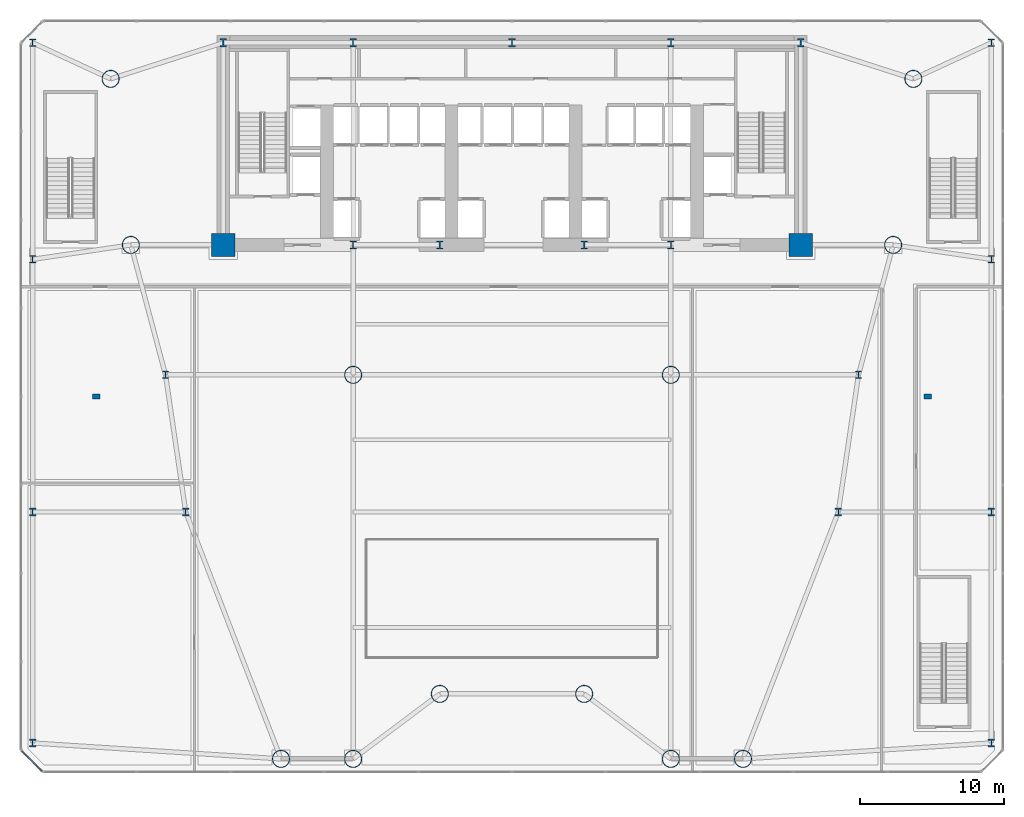
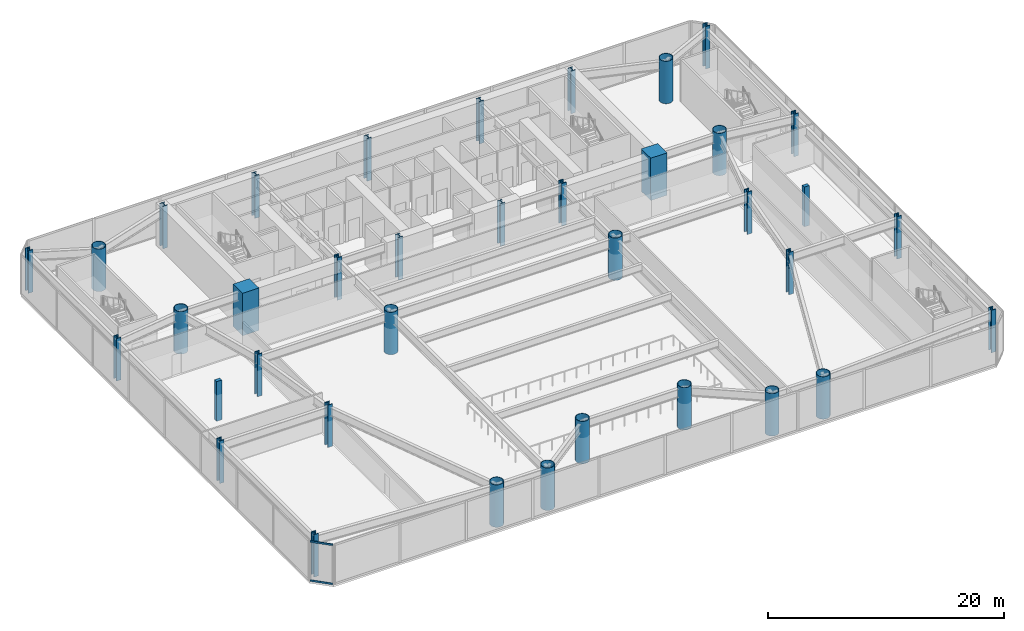
# One storey, part 1 of 24: 37 columns, 2 members, 1 element without a shape of its own.
"""IFC4 building model written with IfcOpenShell, lengths in metres."""

import ifcopenshell
import ifcopenshell.guid

model = None  # the IFC model being written
_history = None  # IfcOwnerHistory: only IFC2X3 demands one
_inside = {}  # id of a spatial element -> (the spatial element, [elements in it])
_under = {}  # id of a project, library or spatial element -> (it, [spatial elements below it])
_declared = {}  # id of a project -> (the project, [libraries it declares])
_typed = {}  # id of a type object -> (the type object, [elements of that type])
_made_of = {}  # id of a material, layer set ... -> (it, [elements and type objects made of it])


def new_model(schema):
    """Start an empty IFC model of exactly this schema.

    Asked for "IFC4X3", IfcOpenShell would pick the latest addendum, in which some entities
    have other attributes; the version numbers below select the first issue.
    IFC2X3 requires an IfcOwnerHistory on every rooted entity: one is made here for all.
    """
    global model, _history
    if schema == "IFC4X3":
        model = ifcopenshell.file(schema_version=(4, 3, 0, 0))
    else:
        model = ifcopenshell.file(schema=schema)
    _inside.clear()
    _under.clear()
    _declared.clear()
    _typed.clear()
    _made_of.clear()
    _history = None
    if model.schema == "IFC2X3":
        org = make("IfcOrganization", Name="unknown")
        user = make(
            "IfcPersonAndOrganization",
            ThePerson=make("IfcPerson", FamilyName="unknown"),
            TheOrganization=org,
        )
        app = make(
            "IfcApplication",
            ApplicationDeveloper=org,
            Version="unknown",
            ApplicationFullName="unknown",
            ApplicationIdentifier="unknown",
        )
        _history = make(
            "IfcOwnerHistory",
            OwningUser=user,
            OwningApplication=app,
            ChangeAction="ADDED",
            CreationDate=0,
        )
    return model


def make(cls, **values):
    """One entity of the class cls with the attributes given. An attribute that is None is left unset."""
    return model.create_entity(
        cls, **{name: value for name, value in values.items() if value is not None}
    )


def rooted(cls, **values):
    """An entity with a GlobalId (a new one), such as an element, a storey or a relation."""
    return make(cls, GlobalId=ifcopenshell.guid.new(), OwnerHistory=_history, **values)


def si_unit(unit_type, name, prefix=None):
    """IfcSIUnit, for example si_unit("LENGTHUNIT", "METRE", prefix="MILLI")."""
    return make("IfcSIUnit", UnitType=unit_type, Prefix=prefix, Name=name)


def assignment(units):
    """IfcUnitAssignment: the units of a project."""
    return None if units is None else make("IfcUnitAssignment", Units=units)


def point(xyz):
    """IfcCartesianPoint."""
    return None if xyz is None else make("IfcCartesianPoint", Coordinates=xyz)


def direction(xyz):
    """IfcDirection."""
    return None if xyz is None else make("IfcDirection", DirectionRatios=xyz)


def frame(location, z_axis=None, x_axis=None):
    """IfcAxis2Placement3D, a coordinate frame: its origin and axes. An axis left out is left unset."""
    return make(
        "IfcAxis2Placement3D",
        Location=point(location),
        Axis=direction(z_axis),
        RefDirection=direction(x_axis),
    )


def frame_2d(location, x_axis=None):
    """IfcAxis2Placement2D, a coordinate frame in the plane: its origin and x axis."""
    return make(
        "IfcAxis2Placement2D", Location=point(location), RefDirection=direction(x_axis)
    )


def origin():
    """The frame at (0, 0, 0) with its axes left unset."""
    return frame((0.0, 0.0, 0.0))


def origin_2d():
    """The frame at (0, 0) in the plane with its x axis left unset."""
    return frame_2d((0.0, 0.0))


def place(relative_to, where):
    """IfcLocalPlacement: puts the frame where relative to a parent placement (None: the world)."""
    return make(
        "IfcLocalPlacement", PlacementRelTo=relative_to, RelativePlacement=where
    )


def context(
    kind, dimensions, precision=None, world=None, true_north=None, identifier=None
):
    """IfcGeometricRepresentationContext, for example the 3D "Model" context."""
    return make(
        "IfcGeometricRepresentationContext",
        ContextIdentifier=identifier,
        ContextType=kind,
        CoordinateSpaceDimension=dimensions,
        Precision=precision,
        WorldCoordinateSystem=world,
        TrueNorth=true_north,
    )


def subcontext(parent, identifier, kind, view, scale=None):
    """IfcGeometricRepresentationSubContext, for example "Body" below "Model"."""
    return make(
        "IfcGeometricRepresentationSubContext",
        ContextIdentifier=identifier,
        ContextType=kind,
        ParentContext=parent,
        TargetScale=scale,
        TargetView=view,
    )


def project(units=None, contexts=None):
    """IfcProject with its units and contexts."""
    return rooted(
        "IfcProject",
        Name="project",
        RepresentationContexts=contexts,
        UnitsInContext=assignment(units),
    )


def spatial(cls, under=None, at=None, **own):
    """A site, building, storey or space (cls), placed at a placement, below another one or the project."""
    s = rooted(cls, ObjectPlacement=at, **own)
    if under is not None:
        _under.setdefault(under.id(), (under, []))[1].append(s)
    return s


def profile(cls, at=None, kind="AREA", **sizes):
    """A parametric profile (cls). Its sizes go by their IFC names, for example OverallWidth=200.0."""
    return make(cls, ProfileType=kind, Position=at, **sizes)


def rectangle(**sizes):
    """IfcRectangleProfileDef."""
    return profile("IfcRectangleProfileDef", **sizes)


def hollow_circle(**sizes):
    """IfcCircleHollowProfileDef."""
    return profile("IfcCircleHollowProfileDef", **sizes)


def i_section(**sizes):
    """IfcIShapeProfileDef."""
    return profile("IfcIShapeProfileDef", **sizes)


def extrude(swept, where, along, depth):
    """IfcExtrudedAreaSolid: the profile swept, set in the frame where, extruded along a direction by depth."""
    return make(
        "IfcExtrudedAreaSolid",
        SweptArea=swept,
        Position=where,
        ExtrudedDirection=direction(along),
        Depth=depth,
    )


def shape(context_of_items, identifier, shape_type, items):
    """IfcShapeRepresentation: the items that make up one representation, for example the "Body"."""
    return make(
        "IfcShapeRepresentation",
        ContextOfItems=context_of_items,
        RepresentationIdentifier=identifier,
        RepresentationType=shape_type,
        Items=items,
    )


def source(mapping_origin, context_of_items, identifier, shape_type, items):
    """IfcRepresentationMap: a shape defined once, which mapped items show again and again."""
    return make(
        "IfcRepresentationMap",
        MappingOrigin=mapping_origin,
        MappedRepresentation=shape(context_of_items, identifier, shape_type, items),
    )


def transform(
    local_origin,
    x_axis=None,
    y_axis=None,
    z_axis=None,
    scale=None,
    scale2=None,
    scale3=None,
    uniform=True,
):
    """IfcCartesianTransformationOperator3D, or its non-uniform kind. x_axis, y_axis, z_axis: its Axis1, 2, 3."""
    if uniform:
        return make(
            "IfcCartesianTransformationOperator3D",
            Axis1=direction(x_axis),
            Axis2=direction(y_axis),
            LocalOrigin=point(local_origin),
            Scale=scale,
            Axis3=direction(z_axis),
        )
    return make(
        "IfcCartesianTransformationOperator3DnonUniform",
        Axis1=direction(x_axis),
        Axis2=direction(y_axis),
        LocalOrigin=point(local_origin),
        Scale=scale,
        Axis3=direction(z_axis),
        Scale2=scale2,
        Scale3=scale3,
    )


def mapped(mapping_source, mapping_target):
    """IfcMappedItem: shows the shape of a source again, moved by a transform."""
    return make(
        "IfcMappedItem", MappingSource=mapping_source, MappingTarget=mapping_target
    )


def material(Name=None, Category=None):
    """IfcMaterial."""
    return make("IfcMaterial", Name=Name, Category=Category)


def layer(
    of_material, thickness, ventilated=None, Name=None, Category=None, Priority=None
):
    """IfcMaterialLayer: one layer of a wall or slab, of a material (None: an air gap)."""
    return make(
        "IfcMaterialLayer",
        Material=of_material,
        LayerThickness=thickness,
        IsVentilated=ventilated,
        Name=Name,
        Category=Category,
        Priority=Priority,
    )


def layer_set(layers, Name=None):
    """IfcMaterialLayerSet."""
    return make("IfcMaterialLayerSet", MaterialLayers=layers, LayerSetName=Name)


def material_profile(
    of_material, cross_section, Name=None, Category=None, Priority=None
):
    """IfcMaterialProfile: a cross section and its material."""
    return make(
        "IfcMaterialProfile",
        Name=Name,
        Material=of_material,
        Profile=cross_section,
        Priority=Priority,
        Category=Category,
    )


def profile_set(profiles, Name=None, composite=None):
    """IfcMaterialProfileSet."""
    return make(
        "IfcMaterialProfileSet",
        Name=Name,
        MaterialProfiles=profiles,
        CompositeProfile=composite,
    )


def made_of(thing, what):
    """Note that an element or type object is made of a material, layer set ...; save() writes the relation."""
    if what is not None:
        _made_of.setdefault(what.id(), (what, []))[1].append(thing)
    return thing


def type_object(cls, material=None, **own):
    """A type object (cls), such as IfcWallType, which elements share."""
    return made_of(rooted(cls, **own), material)


def element(
    cls,
    number,
    at=None,
    inside=None,
    cuts=None,
    type_object=None,
    material=None,
    context=None,
    identifier="Body",
    shape_type=None,
    held_by="IfcProductDefinitionShape",
    body=None,
    shapes=None,
    **own,
):
    """One element of the class cls, such as IfcWall. Its Tag is "e" and its number.

    at: its placement. inside: the storey or other place that contains it. cuts: it is an
    opening in that element (IfcRelVoidsElement). A single representation is given by context,
    identifier, shape_type and body (its items); several are given by shapes. held_by: the class
    of the entity that holds the representations. save() writes the other relations.
    """
    e = rooted(cls, Tag="e%d" % number, ObjectPlacement=at, **own)
    if body is not None:
        shapes = [shape(context, identifier, shape_type, body)]
    if shapes is not None:
        e.Representation = make(held_by, Representations=shapes)
    if inside is not None:
        _inside.setdefault(inside.id(), (inside, []))[1].append(e)
    if cuts is not None:
        rooted(
            "IfcRelVoidsElement", RelatingBuildingElement=cuts, RelatedOpeningElement=e
        )
    if type_object is not None:
        _typed.setdefault(type_object.id(), (type_object, []))[1].append(e)
    return made_of(e, material)


def aggregate(whole, parts):
    """IfcRelAggregates: a whole, such as a stair, and the parts it consists of."""
    return rooted("IfcRelAggregates", RelatingObject=whole, RelatedObjects=parts)


def save(model, path):
    """Write the relations noted so far, then the file.

    IfcRelAggregates (storeys below a building ...), IfcRelContainedInSpatialStructure (elements
    in a storey), IfcRelDefinesByType, IfcRelAssociatesMaterial and IfcRelDeclares: one each for
    every whole, place, type object, material and project.
    """
    for whole, parts in _under.values():
        aggregate(whole, parts)
    for where, things in _inside.values():
        rooted(
            "IfcRelContainedInSpatialStructure",
            RelatedElements=things,
            RelatingStructure=where,
        )
    for kind, things in _typed.values():
        rooted("IfcRelDefinesByType", RelatedObjects=things, RelatingType=kind)
    for what, things in _made_of.values():
        rooted("IfcRelAssociatesMaterial", RelatedObjects=things, RelatingMaterial=what)
    for by, libraries in _declared.values():
        rooted("IfcRelDeclares", RelatingContext=by, RelatedDefinitions=libraries)
    model.write(path)


model = new_model("IFC4")

# Units and contexts
model_context = context("Model", 3, precision=1e-05, world=origin(), true_north=direction((0.0, 1.0)))
body_context = subcontext(model_context, "Body", "Model", "MODEL_VIEW")
ifc_project = project(units=[si_unit("LENGTHUNIT", "METRE"), si_unit("AREAUNIT", "SQUARE_METRE"), si_unit("VOLUMEUNIT", "CUBIC_METRE"), si_unit("PLANEANGLEUNIT", "RADIAN"), si_unit("MASSUNIT", "GRAM", prefix="KILO")], contexts=[model_context])

# Site, building, storey
site_placement = place(None, origin())
site = spatial("IfcSite", under=ifc_project, at=site_placement, CompositionType="ELEMENT")
building_placement = place(site_placement, origin())
building = spatial("IfcBuilding", under=site, at=building_placement, Name="Vaeldorn Concourse Tower", CompositionType="ELEMENT")
storey_placement = place(building_placement, frame((0.0, 0.0, 5.60009765625)))
storey = spatial("IfcBuildingStorey", under=building, at=storey_placement, Name="L01", CompositionType="ELEMENT", Elevation=5.60009765625)

# Columns
ifc_material_1 = material(Name="Concrete C60/75", Category="concrete")
ifc_material_profile_1 = material_profile(ifc_material_1, rectangle(XDim=1.60009765625, YDim=1.60009765625, at=origin_2d()), Name="RC 1600x1600")
ifc_profile_set_1 = profile_set([ifc_material_profile_1], Name="Concrete C60/75")
column_type_1 = type_object("IfcColumnType", Name="COL-RC1600", PredefinedType="COLUMN", material=ifc_profile_set_1)
shared_shape_1 = source(origin(), body_context, "Body", "SweptSolid", [
    extrude(rectangle(XDim=1.60009765625, YDim=1.60009765625, at=origin_2d()), origin(), (0.0, 0.0, 1.0), 4.39990234375),
])
for number, where, z_axis, x_axis, name in (
    (1, (14.0, 36.5, 0.0), (0.0, 0.0, 1.0), (1.0, 0.0, 0.0), "Column C-FC1 L01"),
    (2, (54.0, 36.5, 0.0), (0.0, 0.0, 1.0), (1.0, 0.0, 0.0), "Column C-FC6 L01"),
):
    element("IfcColumn", number, at=place(storey_placement, frame(where, z_axis=z_axis, x_axis=x_axis)), inside=storey, type_object=column_type_1, Name=name, PredefinedType="COLUMN", context=body_context, shape_type="MappedRepresentation", body=[
        mapped(shared_shape_1, transform((0.0, 0.0, 0.0), scale=1.0)),
    ])
ifc_material_2 = material(Name="Steel S460", Category="steel")
ifc_material_profile_2 = material_profile(ifc_material_2, i_section(OverallWidth=0.4541015625, OverallDepth=0.569091796875, WebThickness=0.077880859375, FlangeThickness=0.080078125, FilletRadius=0.014892578125, at=origin_2d()), Name="HD 400x1086")
ifc_profile_set_2 = profile_set([ifc_material_profile_2], Name="Steel S460")
column_type_2 = type_object("IfcColumnType", Name="COL-HD1086", PredefinedType="COLUMN", material=ifc_profile_set_2)
shared_shape_2 = source(origin(), body_context, "Body", "SweptSolid", [
    extrude(i_section(OverallWidth=0.4541015625, OverallDepth=0.569091796875, WebThickness=0.077880859375, FlangeThickness=0.080078125, FilletRadius=0.014892578125, at=origin_2d()), origin(), (0.0, 0.0, 1.0), 4.39990234375),
])
for number, where, z_axis, x_axis, name in (
    (3, (23.0, 36.5, 0.0), (0.0, 0.0, 1.0), (1.0, 0.0, 0.0), "Column C-FC2 L01"),
    (4, (29.0, 36.5, 0.0), (0.0, 0.0, 1.0), (1.0, 0.0, 0.0), "Column C-FC3 L01"),
    (5, (39.0, 36.5, 0.0), (0.0, 0.0, 1.0), (1.0, 0.0, 0.0), "Column C-FC4 L01"),
    (6, (45.0, 36.5, 0.0), (0.0, 0.0, 1.0), (1.0, 0.0, 0.0), "Column C-FC5 L01"),
    (7, (14.0, 50.5, 0.0), (0.0, 0.0, 1.0), (1.0, 0.0, 0.0), "Column C-HC1 L01"),
    (8, (23.0, 50.5, 0.0), (0.0, 0.0, 1.0), (1.0, 0.0, 0.0), "Column C-HC2 L01"),
    (9, (34.0, 50.5, 0.0), (0.0, 0.0, 1.0), (1.0, 0.0, 0.0), "Column C-HC3 L01"),
    (10, (45.0, 50.5, 0.0), (0.0, 0.0, 1.0), (1.0, 0.0, 0.0), "Column C-HC4 L01"),
    (11, (54.0, 50.5, 0.0), (0.0, 0.0, 1.0), (1.0, 0.0, 0.0), "Column C-HC5 L01"),
):
    element("IfcColumn", number, at=place(storey_placement, frame(where, z_axis=z_axis, x_axis=x_axis)), inside=storey, type_object=column_type_2, Name=name, PredefinedType="COLUMN", context=body_context, shape_type="MappedRepresentation", body=[
        mapped(shared_shape_2, transform((0.0, 0.0, 0.0), scale=1.0)),
    ])
ifc_material_profile_3 = material_profile(ifc_material_2, hollow_circle(Radius=0.609619140625, WallThickness=0.050048828125, at=origin_2d()), Name="CHS 1219x50")
ifc_profile_set_3 = profile_set([ifc_material_profile_3], Name="Steel S460")
column_type_3 = type_object("IfcColumnType", Name="COL-CHS1219", PredefinedType="COLUMN", material=ifc_profile_set_3)
shared_shape_3 = source(origin(), body_context, "Body", "SweptSolid", [
    extrude(hollow_circle(Radius=0.609619140625, WallThickness=0.050048828125, at=origin_2d()), origin(), (0.0, 0.0, 1.0), 4.39990234375),
])
for number, where, z_axis, x_axis, name in (
    (12, (6.199951171875, 48.0, 0.0), (0.0, 0.0, 1.0), (1.0, 0.0, 0.0), "Column C-NW1 L01"),
    (13, (7.60009765625, 36.5, 0.0), (0.0, 0.0, 1.0), (1.0, 0.0, 0.0), "Column C-NW2 L01"),
    (14, (61.800048828125, 48.0, 0.0), (0.0, 0.0, 1.0), (1.0, 0.0, 0.0), "Column C-NE1 L01"),
    (15, (60.39990234375, 36.5, 0.0), (0.0, 0.0, 1.0), (1.0, 0.0, 0.0), "Column C-NE2 L01"),
    (16, (18.0, 0.89990234375, 0.0), (0.0, 0.0, 1.0), (1.0, 0.0, 0.0), "Column C-SM1 L01"),
    (17, (23.0, 0.89990234375, 0.0), (0.0, 0.0, 1.0), (1.0, 0.0, 0.0), "Column C-SM2 L01"),
    (18, (29.0, 5.39990234375, 0.0), (0.0, 0.0, 1.0), (1.0, 0.0, 0.0), "Column C-SM3 L01"),
    (19, (39.0, 5.39990234375, 0.0), (0.0, 0.0, 1.0), (1.0, 0.0, 0.0), "Column C-SM4 L01"),
    (20, (45.0, 0.89990234375, 0.0), (0.0, 0.0, 1.0), (1.0, 0.0, 0.0), "Column C-SM5 L01"),
    (21, (50.0, 0.89990234375, 0.0), (0.0, 0.0, 1.0), (1.0, 0.0, 0.0), "Column C-SM6 L01"),
    (22, (23.0, 27.5, 0.0), (0.0, 0.0, 1.0), (1.0, 0.0, 0.0), "Column C-TW1 L01"),
    (23, (45.0, 27.5, 0.0), (0.0, 0.0, 1.0), (1.0, 0.0, 0.0), "Column C-TW4 L01"),
):
    element("IfcColumn", number, at=place(storey_placement, frame(where, z_axis=z_axis, x_axis=x_axis)), inside=storey, type_object=column_type_3, Name=name, PredefinedType="COLUMN", context=body_context, shape_type="MappedRepresentation", body=[
        mapped(shared_shape_3, transform((0.0, 0.0, 0.0), scale=1.0)),
    ])
ifc_material_profile_4 = material_profile(ifc_material_2, i_section(OverallWidth=0.44189453125, OverallDepth=0.531005859375, WebThickness=0.06494140625, FlangeThickness=0.075927734375, FilletRadius=0.014892578125, at=origin_2d()), Name="HD 400x900")
ifc_profile_set_4 = profile_set([ifc_material_profile_4], Name="Steel S460")
column_type_4 = type_object("IfcColumnType", Name="COL-HD900F", PredefinedType="COLUMN", material=ifc_profile_set_4)
shared_shape_4 = source(origin(), body_context, "Body", "SweptSolid", [
    extrude(i_section(OverallWidth=0.44189453125, OverallDepth=0.531005859375, WebThickness=0.06494140625, FlangeThickness=0.075927734375, FilletRadius=0.014892578125, at=origin_2d()), origin(), (0.0, 0.0, 1.0), 4.39990234375),
])
for number, where, z_axis, x_axis, name in (
    (24, (0.800048828125, 2.0, 0.0), (0.0, 0.0, 1.0), (1.0, 0.0, 0.0), "Column C-PW1 L01"),
    (25, (0.800048828125, 18.0, 0.0), (0.0, 0.0, 1.0), (1.0, 0.0, 0.0), "Column C-PW2 L01"),
    (26, (0.800048828125, 35.5, 0.0), (0.0, 0.0, 1.0), (1.0, 0.0, 0.0), "Column C-PW3 L01"),
    (27, (0.800048828125, 50.5, 0.0), (0.0, 0.0, 1.0), (1.0, 0.0, 0.0), "Column C-PW4 L01"),
    (28, (67.199951171875, 2.0, 0.0), (0.0, 0.0, 1.0), (1.0, 0.0, 0.0), "Column C-PE1 L01"),
    (29, (67.199951171875, 18.0, 0.0), (0.0, 0.0, 1.0), (1.0, 0.0, 0.0), "Column C-PE2 L01"),
    (30, (67.199951171875, 35.5, 0.0), (0.0, 0.0, 1.0), (1.0, 0.0, 0.0), "Column C-PE3 L01"),
    (31, (67.199951171875, 50.5, 0.0), (0.0, 0.0, 1.0), (1.0, 0.0, 0.0), "Column C-PE4 L01"),
    (32, (10.0, 27.5, 0.0), (0.0, 0.0, 1.0), (1.0, 0.0, 0.0), "Column C-FLW1 L01"),
    (33, (11.39990234375, 18.0, 0.0), (0.0, 0.0, 1.0), (1.0, 0.0, 0.0), "Column C-FLW2 L01"),
    (34, (58.0, 27.5, 0.0), (0.0, 0.0, 1.0), (1.0, 0.0, 0.0), "Column C-FLE1 L01"),
    (35, (56.60009765625, 18.0, 0.0), (0.0, 0.0, 1.0), (1.0, 0.0, 0.0), "Column C-FLE2 L01"),
):
    element("IfcColumn", number, at=place(storey_placement, frame(where, z_axis=z_axis, x_axis=x_axis)), inside=storey, type_object=column_type_4, Name=name, PredefinedType="COLUMN", context=body_context, shape_type="MappedRepresentation", body=[
        mapped(shared_shape_4, transform((0.0, 0.0, 0.0), scale=1.0)),
    ])
ifc_material_3 = material(Name="Concrete C50/60", Category="concrete")
ifc_material_profile_5 = material_profile(ifc_material_3, rectangle(XDim=0.5, YDim=0.35009765625, at=origin_2d()), Name="RC 500x350")
ifc_profile_set_5 = profile_set([ifc_material_profile_5], Name="Concrete C50/60")
column_type_5 = type_object("IfcColumnType", Name="PIL-RC500x350", PredefinedType="PILASTER", material=ifc_profile_set_5)
shared_shape_5 = source(origin(), body_context, "Body", "SweptSolid", [
    extrude(rectangle(XDim=0.5, YDim=0.35009765625, at=origin_2d()), origin(), (0.0, 0.0, 1.0), 4.119873046875),
])
for number, where, z_axis, x_axis, name in (
    (36, (5.199951171875, 26.0, 0.0), (0.0, 0.0, 1.0), (1.0, 0.0, 0.0), "Concourse Structural Pilaster L01-W"),
    (37, (62.800048828125, 26.0, 0.0), (0.0, 0.0, 1.0), (1.0, 0.0, 0.0), "Concourse Structural Pilaster L01-E"),
):
    element("IfcColumn", number, at=place(storey_placement, frame(where, z_axis=z_axis, x_axis=x_axis)), inside=storey, type_object=column_type_5, Name=name, PredefinedType="PILASTER", context=body_context, shape_type="MappedRepresentation", body=[
        mapped(shared_shape_5, transform((0.0, 0.0, 0.0), scale=1.0)),
    ])

# Curtain wall, members
ifc_material_4 = material(Name="Anodised Bronze Aluminium", Category="aluminium")
ifc_layer = layer(ifc_material_4, 0.239990234375)
ifc_layer_set = layer_set([ifc_layer], Name="Anodised Bronze Aluminium")
curtain_wall_type = type_object("IfcCurtainWallType", Name="CW-SYS-04", PredefinedType="NOTDEFINED", material=ifc_layer_set)
curtain_wall_placement = place(storey_placement, origin())
curtain_wall = element("IfcCurtainWall", 38, at=curtain_wall_placement, inside=storey, type_object=curtain_wall_type, Name="Unitised Curtain Wall CW-L01-E08-1", PredefinedType="NOTDEFINED")
ifc_material_profile_6 = material_profile(ifc_material_4, rectangle(XDim=0.074951171875, YDim=0.179931640625, at=origin_2d()), Name="CWT 75x180")
ifc_profile_set_6 = profile_set([ifc_material_profile_6], Name="Anodised Bronze Aluminium")
member_type = type_object("IfcMemberType", Name="CWT-BRONZE-180", PredefinedType="USERDEFINED", material=ifc_profile_set_6)
shared_shape_6 = source(origin(), body_context, "Body", "SweptSolid", [
    extrude(rectangle(XDim=0.074951171875, YDim=0.179931640625, at=origin_2d()), origin(), (0.0, 0.0, 1.0), 1.971435546875),
])
member_1_placement = place(storey_placement, frame((0.052978515625, 1.447021484375, 0.037353515625), z_axis=(0.707106781187, -0.707106781187, 0.0), x_axis=(0.707106781187, 0.707106781187, 0.0)))
member_1 = element("IfcMember", 39, at=member_1_placement, type_object=member_type, Name="CW-04 transom 1.1", ObjectType="TRANSOM", PredefinedType="USERDEFINED", context=body_context, shape_type="MappedRepresentation", body=[
    mapped(shared_shape_6, transform((0.0, 0.0, 0.0), scale=1.0)),
])
member_2_placement = place(storey_placement, frame((0.052978515625, 1.447021484375, 4.08251953125), z_axis=(0.707106781187, -0.707106781187, 0.0), x_axis=(0.707106781187, 0.707106781187, 0.0)))
member_2 = element("IfcMember", 40, at=member_2_placement, type_object=member_type, Name="CW-04 transom 1.2", ObjectType="TRANSOM", PredefinedType="USERDEFINED", context=body_context, shape_type="MappedRepresentation", body=[
    mapped(shared_shape_6, transform((0.0, 0.0, 0.0), scale=1.0)),
])
aggregate(curtain_wall, [member_1, member_2])

save(model, "model.ifc")
